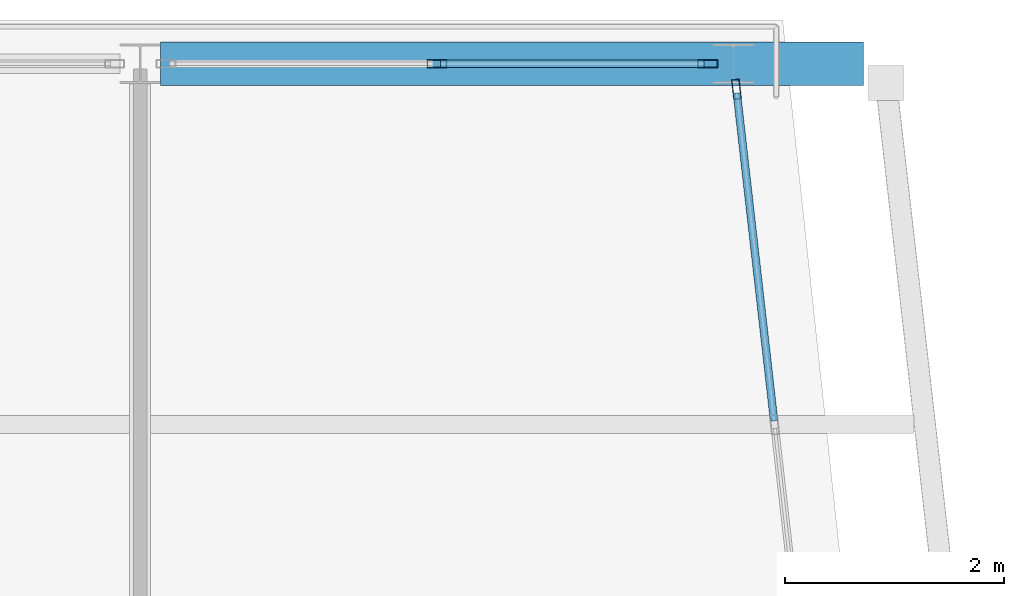
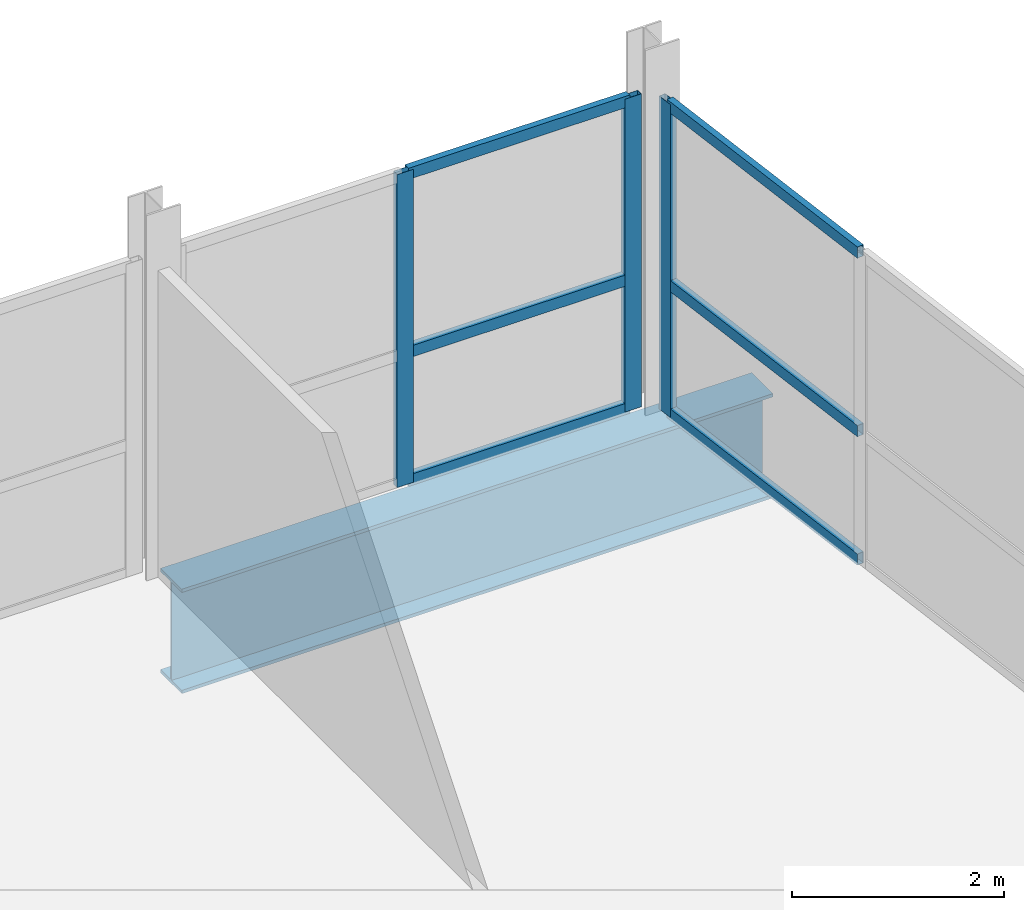
# One storey, part 12 of 19: 9 members, 1 beam, 2 elements without a shape of their own.
"""IFC4 building model written with IfcOpenShell, lengths in metres."""

from ifc_helpers import new_model, si_unit, direction, frame, origin, origin_2d, place, context, subcontext, project, spatial, hollow_rectangle, i_section, extrude, material, layer, layer_set, material_profile, profile_set, type_object, element, aggregate, save


model = new_model("IFC4")

# Units and contexts
model_context = context("Model", 3, precision=1e-05, world=origin(), true_north=direction((0.0, 1.0)))
body_context = subcontext(model_context, "Body", "Model", "MODEL_VIEW")
ifc_project = project(units=[si_unit("LENGTHUNIT", "METRE"), si_unit("AREAUNIT", "SQUARE_METRE"), si_unit("VOLUMEUNIT", "CUBIC_METRE"), si_unit("PLANEANGLEUNIT", "RADIAN"), si_unit("MASSUNIT", "GRAM", prefix="KILO")], contexts=[model_context])

# Site, building, storey
site_placement = place(None, origin())
site = spatial("IfcSite", under=ifc_project, at=site_placement, CompositionType="ELEMENT")
building_placement = place(site_placement, origin())
building = spatial("IfcBuilding", under=site, at=building_placement, Name="Quillay Park Conservatory", CompositionType="ELEMENT")
storey_placement = place(building_placement, frame((0.0, 0.0, 35.10009765625)))
storey = spatial("IfcBuildingStorey", under=building, at=storey_placement, Name="L08", CompositionType="ELEMENT", Elevation=35.10009765625)

# Curtain wall, member
ifc_material_1 = material(Name="Thermally Broken Anodised Aluminium 6063-T6", Category="aluminium")
ifc_layer = layer(ifc_material_1, 0.179931640625)
ifc_layer_set = layer_set([ifc_layer], Name="UNITISED CURTAIN WALL TOWER (Thermally Broken Anodised Aluminium 6063-T6)")
curtain_wall_type = type_object("IfcCurtainWallType", Name="UNITISED CURTAIN WALL TOWER", PredefinedType="USERDEFINED", material=ifc_layer_set)
curtain_wall_1_placement = place(storey_placement, origin())
curtain_wall_1 = element("IfcCurtainWall", 1, at=curtain_wall_1_placement, inside=storey, type_object=curtain_wall_type, Name="L08 Unitised Curtain Wall 083", ObjectType="UNITISED CURTAIN WALL", PredefinedType="USERDEFINED")
ifc_material_2 = material(Name="Thermally Broken Anodised Aluminium 6063-T6", Category="aluminium")
ifc_material_profile_1 = material_profile(ifc_material_2, hollow_rectangle(XDim=0.070068359375, YDim=0.179931640625, WallThickness=0.00390625, at=origin_2d()), Name="AL70x180x4")
ifc_profile_set_1 = profile_set([ifc_material_profile_1], Name="Thermally Broken Anodised Aluminium 6063-T6")
member_type_1 = type_object("IfcMemberType", Name="CURTAIN WALL MULLION 70 X180", PredefinedType="MULLION", material=ifc_profile_set_1)
member_1_placement = place(storey_placement, frame((25.20166015625, 113.16650390625, 0.0), z_axis=(0.0, 0.0, 1.0), x_axis=(0.993605989969, 0.112903218278, 0.0)))
member_1 = element("IfcMember", 2, at=member_1_placement, type_object=member_type_1, Name="CW-T1 mullion 1", PredefinedType="MULLION", context=body_context, shape_type="SweptSolid", body=[
    extrude(hollow_rectangle(XDim=0.070068359375, YDim=0.179931640625, WallThickness=0.00390625, at=origin_2d()), origin(), (0.0, 0.0, 1.0), 3.598876953125),
])

# Curtain wall, members
curtain_wall_2_placement = place(storey_placement, origin())
curtain_wall_2 = element("IfcCurtainWall", 3, at=curtain_wall_2_placement, inside=storey, type_object=curtain_wall_type, Name="L08 Unitised Curtain Wall 086", ObjectType="UNITISED CURTAIN WALL", PredefinedType="USERDEFINED")
member_2_placement = place(storey_placement, frame((22.46240234375, 113.39990234375, 0.0), z_axis=(0.0, 0.0, 1.0), x_axis=(0.0, 1.0, 0.0)))
member_2 = element("IfcMember", 4, at=member_2_placement, type_object=member_type_1, Name="CW-T1 mullion 2", PredefinedType="MULLION", context=body_context, shape_type="SweptSolid", body=[
    extrude(hollow_rectangle(XDim=0.070068359375, YDim=0.179931640625, WallThickness=0.00390625, at=origin_2d()), origin(), (0.0, 0.0, 1.0), 3.598876953125),
])
member_3_placement = place(storey_placement, frame((24.93994140625, 113.39990234375, 0.0), z_axis=(0.0, 0.0, 1.0), x_axis=(0.0, 1.0, 0.0)))
member_3 = element("IfcMember", 5, at=member_3_placement, type_object=member_type_1, Name="CW-T1 mullion 3", PredefinedType="MULLION", context=body_context, shape_type="SweptSolid", body=[
    extrude(hollow_rectangle(XDim=0.070068359375, YDim=0.179931640625, WallThickness=0.00390625, at=origin_2d()), origin(), (0.0, 0.0, 1.0), 3.598876953125),
])

# Member
ifc_material_3 = material(Name="Thermally Broken Anodised Aluminium 6063-T6", Category="aluminium")
ifc_material_profile_2 = material_profile(ifc_material_3, hollow_rectangle(XDim=0.070068359375, YDim=0.1298828125, WallThickness=0.003173828125, at=origin_2d()), Name="AL70x130x3.2")
ifc_profile_set_2 = profile_set([ifc_material_profile_2], Name="Thermally Broken Anodised Aluminium 6063-T6")
member_type_2 = type_object("IfcMemberType", Name="CURTAIN WALL TRANSOM 70 X130", PredefinedType="USERDEFINED", material=ifc_profile_set_2)
member_4_placement = place(storey_placement, frame((25.20556640625, 113.1318359375, 0.034912109375), z_axis=(0.112909688044, -0.99360525479, 0.0), x_axis=(0.99360525479, 0.112909688044, 0.0)))
member_4 = element("IfcMember", 6, at=member_4_placement, type_object=member_type_2, Name="CW-T1 transom 1.1", ObjectType="TRANSOM", PredefinedType="USERDEFINED", context=body_context, shape_type="SweptSolid", body=[
    extrude(hollow_rectangle(XDim=0.070068359375, YDim=0.1298828125, WallThickness=0.003173828125, at=origin_2d()), origin(), (0.0, 0.0, 1.0), 3.016357421875),
])

member_5_placement = place(storey_placement, frame((25.20556640625, 113.1318359375, 1.511474609375), z_axis=(0.112909688044, -0.99360525479, 0.0), x_axis=(0.99360525479, 0.112909688044, 0.0)))
member_5 = element("IfcMember", 7, at=member_5_placement, type_object=member_type_2, Name="CW-T1 transom 1.2", ObjectType="TRANSOM", PredefinedType="USERDEFINED", context=body_context, shape_type="SweptSolid", body=[
    extrude(hollow_rectangle(XDim=0.070068359375, YDim=0.1298828125, WallThickness=0.003173828125, at=origin_2d()), origin(), (0.0, 0.0, 1.0), 3.016357421875),
])

member_6_placement = place(storey_placement, frame((25.20556640625, 113.1318359375, 3.56396484375), z_axis=(0.112909688044, -0.99360525479, 0.0), x_axis=(0.99360525479, 0.112909688044, 0.0)))
member_6 = element("IfcMember", 8, at=member_6_placement, type_object=member_type_2, Name="CW-T1 transom 1.3", ObjectType="TRANSOM", PredefinedType="USERDEFINED", context=body_context, shape_type="SweptSolid", body=[
    extrude(hollow_rectangle(XDim=0.070068359375, YDim=0.1298828125, WallThickness=0.003173828125, at=origin_2d()), origin(), (0.0, 0.0, 1.0), 3.016357421875),
])

aggregate(curtain_wall_1, [member_1, member_4, member_5, member_6])

member_7_placement = place(storey_placement, frame((22.49755859375, 113.39990234375, 0.034912109375), z_axis=(1.0, 0.0, 0.0), x_axis=(0.0, 1.0, 0.0)))
member_7 = element("IfcMember", 9, at=member_7_placement, type_object=member_type_2, Name="CW-T1 transom 2.1", ObjectType="TRANSOM", PredefinedType="USERDEFINED", context=body_context, shape_type="SweptSolid", body=[
    extrude(hollow_rectangle(XDim=0.070068359375, YDim=0.1298828125, WallThickness=0.003173828125, at=origin_2d()), origin(), (0.0, 0.0, 1.0), 2.407470703125),
])

member_8_placement = place(storey_placement, frame((22.49755859375, 113.39990234375, 1.511474609375), z_axis=(1.0, 0.0, 0.0), x_axis=(0.0, 1.0, 0.0)))
member_8 = element("IfcMember", 10, at=member_8_placement, type_object=member_type_2, Name="CW-T1 transom 2.2", ObjectType="TRANSOM", PredefinedType="USERDEFINED", context=body_context, shape_type="SweptSolid", body=[
    extrude(hollow_rectangle(XDim=0.070068359375, YDim=0.1298828125, WallThickness=0.003173828125, at=origin_2d()), origin(), (0.0, 0.0, 1.0), 2.407470703125),
])

member_9_placement = place(storey_placement, frame((22.49755859375, 113.39990234375, 3.56396484375), z_axis=(1.0, 0.0, 0.0), x_axis=(0.0, 1.0, 0.0)))
member_9 = element("IfcMember", 11, at=member_9_placement, type_object=member_type_2, Name="CW-T1 transom 2.3", ObjectType="TRANSOM", PredefinedType="USERDEFINED", context=body_context, shape_type="SweptSolid", body=[
    extrude(hollow_rectangle(XDim=0.070068359375, YDim=0.1298828125, WallThickness=0.003173828125, at=origin_2d()), origin(), (0.0, 0.0, 1.0), 2.407470703125),
])

aggregate(curtain_wall_2, [member_2, member_3, member_7, member_8, member_9])

# Beam
ifc_material_4 = material(Name="Steel ASTM A572 Grade 50", Category="steel")
ifc_material_profile_3 = material_profile(ifc_material_4, i_section(OverallWidth=0.39990234375, OverallDepth=1.199951171875, WebThickness=0.02001953125, FlangeThickness=0.0380859375, at=origin_2d()), Name="IG1200x400")
ifc_profile_set_3 = profile_set([ifc_material_profile_3], Name="Steel ASTM A572 Grade 50")
beam_type = type_object("IfcBeamType", Name="TRANSFER PLATE GIRDER IG1200", PredefinedType="USERDEFINED", material=ifc_profile_set_3)
beam_placement = place(storey_placement, frame((19.93603515625, 113.39990234375, -0.815185546875), z_axis=(1.0, 0.0, 0.0), x_axis=(0.0, 1.0, 0.0)))
element("IfcBeam", 12, at=beam_placement, inside=storey, type_object=beam_type, Name="L08 beam BM-TG2-0605", ObjectType="TRANSFER PLATE GIRDER", PredefinedType="USERDEFINED", context=body_context, shape_type="SweptSolid", body=[
    extrude(i_section(OverallWidth=0.39990234375, OverallDepth=1.199951171875, WebThickness=0.02001953125, FlangeThickness=0.0380859375, at=origin_2d()), origin(), (0.0, 0.0, 1.0), 6.427001953125),
])

save(model, "model.ifc")
